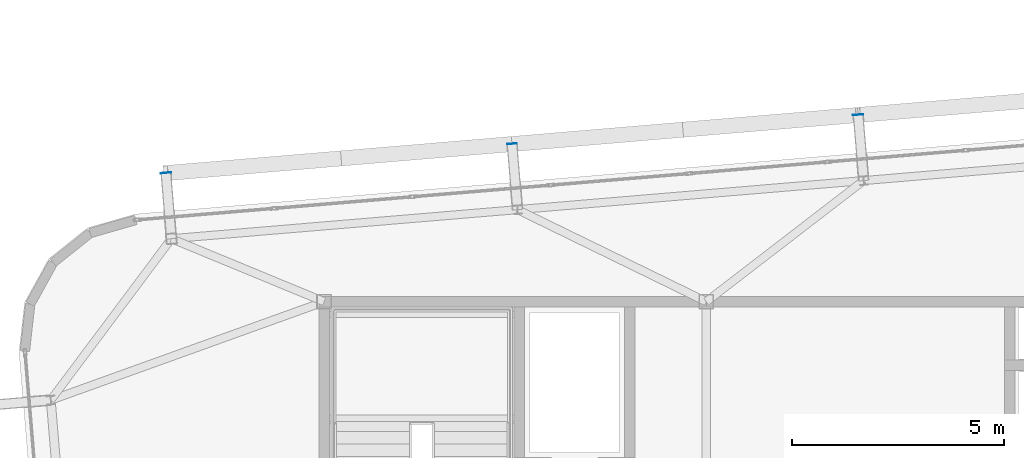
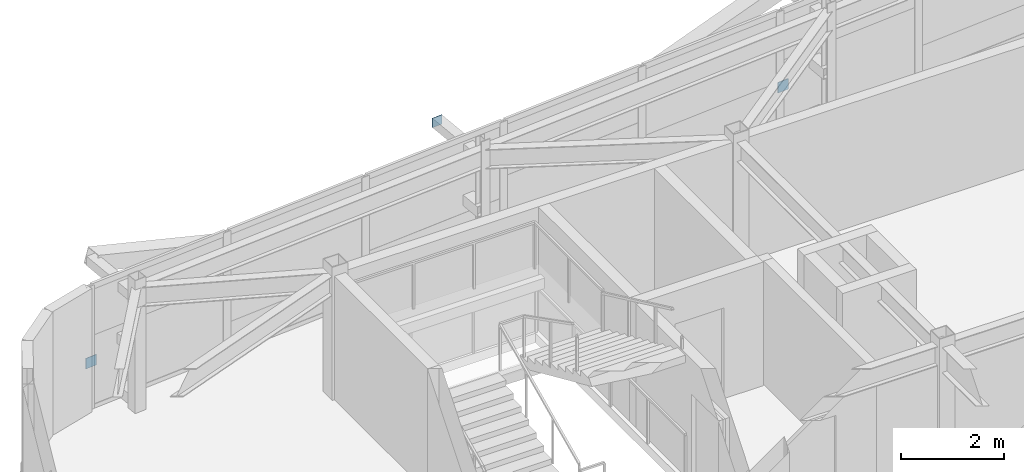
# One storey, part 39 of 46: 3 plates.
"""IFC4 building model written with IfcOpenShell, lengths in metres."""

from ifc_helpers import new_model, si_unit, direction, frame, origin, origin_2d, place, context, subcontext, project, spatial, rectangle, extrude, source, transform, mapped, material, layer, layer_set, type_object, element, save


model = new_model("IFC4")

# Units and contexts
model_context = context("Model", 3, precision=1e-05, world=origin(), true_north=direction((0.0, 1.0)))
body_context = subcontext(model_context, "Body", "Model", "MODEL_VIEW")
ifc_project = project(units=[si_unit("LENGTHUNIT", "METRE"), si_unit("AREAUNIT", "SQUARE_METRE"), si_unit("VOLUMEUNIT", "CUBIC_METRE"), si_unit("PLANEANGLEUNIT", "RADIAN"), si_unit("MASSUNIT", "GRAM", prefix="KILO")], contexts=[model_context])

# Site, building, storey
site_placement = place(None, origin())
site = spatial("IfcSite", under=ifc_project, at=site_placement, CompositionType="ELEMENT")
building_placement = place(site_placement, origin())
building = spatial("IfcBuilding", under=site, at=building_placement, Name="Taldren Reach Tower", CompositionType="ELEMENT")
storey_placement = place(building_placement, frame((0.0, 0.0, 188.300048828125)))
storey = spatial("IfcBuildingStorey", under=building, at=storey_placement, Name="L57", CompositionType="ELEMENT", Elevation=188.300048828125)

# Plates
ifc_material_1 = material(Name="Steel Gr 350 (C350L0)", Category="steel")
ifc_layer_1 = layer(ifc_material_1, 0.011962890625)
ifc_layer_set_1 = layer_set([ifc_layer_1], Name="Steel Gr 350 (C350L0)")
plate_type_1 = type_object("IfcPlateType", Name="PL-CAP-250", PredefinedType="SHEET", material=ifc_layer_set_1)
shared_shape_1 = source(origin(), body_context, "Body", "SweptSolid", [
    extrude(rectangle(XDim=0.25, YDim=0.011962890625, at=origin_2d()), origin(), (0.0, 0.0, 1.0), 0.25),
])
for number, where, z_axis, x_axis, name in (
    (1, (15.273681640625, 35.0341796875, 0.094970703125), (0.0, 0.0, 1.0), (0.99649285925, 0.083677843332, 0.0), "Tie strut end cap plate B4-N1 L57"),
    (2, (31.576171875, 36.403076171875, 0.094970703125), (0.0, 0.0, 1.0), (0.99649285925, 0.083677843332, 0.0), "Tie strut end cap plate B4-N3 L57"),
):
    element("IfcPlate", number, at=place(storey_placement, frame(where, z_axis=z_axis, x_axis=x_axis)), inside=storey, type_object=plate_type_1, Name=name, PredefinedType="SHEET", context=body_context, shape_type="MappedRepresentation", body=[
        mapped(shared_shape_1, transform((0.0, 0.0, 0.0), scale=1.0)),
    ])
ifc_material_2 = material(Name="Steel Gr 450 (C450L0)", Category="steel")
ifc_layer_2 = layer(ifc_material_2, 0.011962890625)
ifc_layer_set_2 = layer_set([ifc_layer_2], Name="Steel Gr 450 (C450L0)")
plate_type_2 = type_object("IfcPlateType", Name="PL-CAP-220", PredefinedType="SHEET", material=ifc_layer_set_2)
shared_shape_2 = source(origin(), body_context, "Body", "SweptSolid", [
    extrude(rectangle(XDim=0.219970703125, YDim=0.011962890625, at=origin_2d()), origin(), (0.0, 0.0, 1.0), 0.219970703125),
])
plate_placement = place(storey_placement, frame((23.4248046875, 35.718505859375, 2.5400390625), z_axis=(0.0, 0.0, 1.0), x_axis=(0.99649285925, 0.083677843332, 0.0)))
element("IfcPlate", 3, at=plate_placement, inside=storey, type_object=plate_type_2, Name="Tie strut end cap plate B4-N2 L57", PredefinedType="SHEET", context=body_context, shape_type="MappedRepresentation", body=[
    mapped(shared_shape_2, transform((0.0, 0.0, 0.0), scale=1.0)),
])

save(model, "model.ifc")
